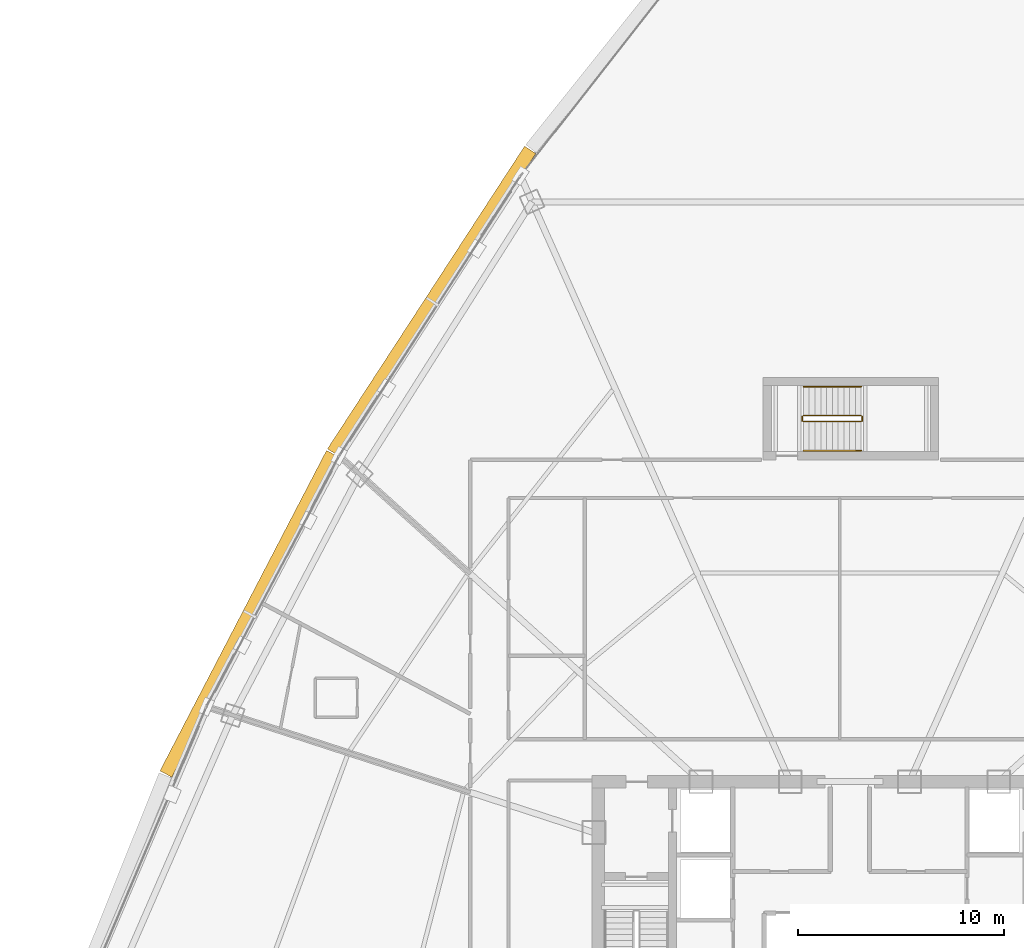
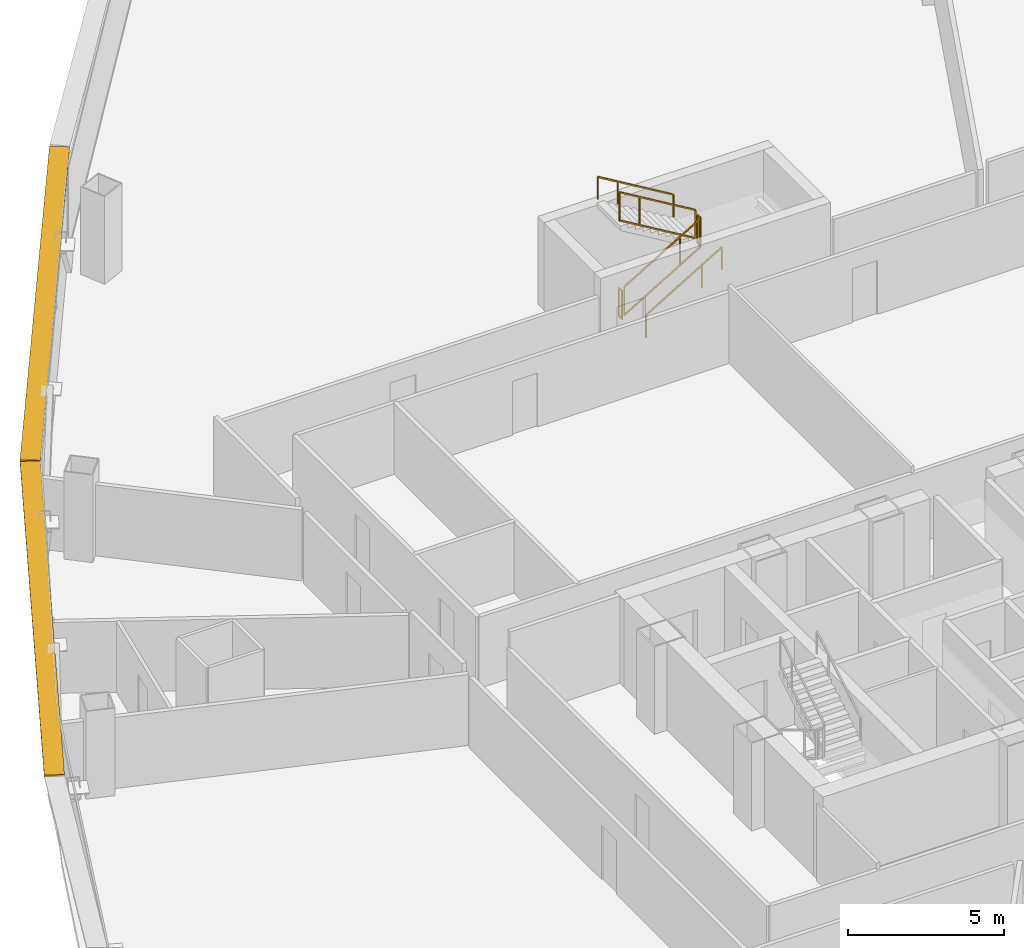
# One storey, part 39 of 40: 6 railings, 2 shading devices.
"""IFC4 building model written with IfcOpenShell, lengths in metres."""

from ifc_helpers import new_model, si_unit, direction, frame, origin, origin_2d, place, context, subcontext, project, spatial, rectangle, extrude, source, transform, mapped, material, layer, layer_set, type_object, element, save


model = new_model("IFC4")

# Units and contexts
model_context = context("Model", 3, precision=1e-05, world=origin(), true_north=direction((0.0, 1.0)))
body_context = subcontext(model_context, "Body", "Model", "MODEL_VIEW")
ifc_project = project(units=[si_unit("LENGTHUNIT", "METRE"), si_unit("AREAUNIT", "SQUARE_METRE"), si_unit("VOLUMEUNIT", "CUBIC_METRE"), si_unit("PLANEANGLEUNIT", "RADIAN"), si_unit("MASSUNIT", "GRAM", prefix="KILO"), si_unit("THERMODYNAMICTEMPERATUREUNIT", "KELVIN"), si_unit("POWERUNIT", "WATT")], contexts=[model_context])

# Site, building, storey
site_placement = place(None, origin())
site = spatial("IfcSite", under=ifc_project, at=site_placement, CompositionType="ELEMENT")
building_placement = place(site_placement, origin())
building = spatial("IfcBuilding", under=site, at=building_placement, Name="Yunzhuo Pagoda Commons", CompositionType="ELEMENT")
storey_placement = place(building_placement, frame((0.0, 0.0, 159.27001953125)))
storey = spatial("IfcBuildingStorey", under=building, at=storey_placement, Name="L40", CompositionType="ELEMENT", Elevation=159.27001953125)

# Railings
ifc_material = material(Name="Anodized aluminium 6063-T6", Category="aluminium")
railing_type_1 = type_object("IfcRailingType", Name="GR-ST3 North Well Guardrail 1155", PredefinedType="GUARDRAIL", material=ifc_material)
railing_1_placement = place(storey_placement, frame((45.75, 57.64990234375, 0.167236328125)))
element("IfcRailing", 1, at=railing_1_placement, inside=storey, type_object=railing_type_1, Name="L40 ST3 stair guard 1", PredefinedType="GUARDRAIL", context=body_context, shape_type="SweptSolid", body=[
    extrude(rectangle(XDim=0.048095703125, YDim=0.048095703125, at=origin_2d()), frame((0.0, 0.0, 1.1259765625), z_axis=(0.858462256164, 0.0, 0.512876744201), x_axis=(0.0, 1.0, 0.0)), (0.0, 0.0, 1.0), 3.26171875),
    extrude(rectangle(XDim=0.048095703125, YDim=0.048095703125, at=origin_2d()), frame((0.0, 0.0, 0.02392578125), z_axis=(0.858462256164, 0.0, 0.512876744201), x_axis=(0.0, 1.0, 0.0)), (0.0, 0.0, 1.0), 3.26171875),
    extrude(rectangle(XDim=0.0419921875, YDim=0.0419921875, at=origin_2d()), origin(), (0.0, 0.0, 1.0), 1.101806640625),
    extrude(rectangle(XDim=0.0419921875, YDim=0.0419921875, at=origin_2d()), frame((2.060302734375, 0.0, 1.23095703125)), (0.0, 0.0, 1.0), 1.101806640625),
    extrude(rectangle(XDim=0.0419921875, YDim=0.0419921875, at=origin_2d()), frame((2.800048828125, 0.0, 1.6728515625)), (0.0, 0.0, 1.0), 1.101806640625),
])
railing_2_placement = place(storey_placement, frame((48.60009765625, 57.699951171875, 1.840087890625)))
element("IfcRailing", 2, at=railing_2_placement, inside=storey, type_object=railing_type_1, Name="L40 ST3 stair guard 2", PredefinedType="GUARDRAIL", context=body_context, shape_type="SweptSolid", body=[
    extrude(rectangle(XDim=0.048095703125, YDim=0.048095703125, at=origin_2d()), frame((0.0, 0.0, 1.1259765625), z_axis=(0.0, 1.0, 0.0), x_axis=(-1.0, 0.0, 0.0)), (0.0, 0.0, 1.0), 0.199951171875),
    extrude(rectangle(XDim=0.048095703125, YDim=0.048095703125, at=origin_2d()), frame((0.0, 0.0, 0.02392578125), z_axis=(0.0, 1.0, 0.0), x_axis=(-1.0, 0.0, 0.0)), (0.0, 0.0, 1.0), 0.199951171875),
    extrude(rectangle(XDim=0.0419921875, YDim=0.0419921875, at=origin_2d()), origin(), (0.0, 0.0, 1.0), 1.101806640625),
    extrude(rectangle(XDim=0.0419921875, YDim=0.0419921875, at=origin_2d()), frame((0.0, 0.199951171875, 0.0)), (0.0, 0.0, 1.0), 1.101806640625),
])
railing_3_placement = place(storey_placement, frame((48.550048828125, 57.949951171875, 2.00732421875)))
element("IfcRailing", 3, at=railing_3_placement, inside=storey, type_object=railing_type_1, Name="L40 ST3 stair guard 3", PredefinedType="GUARDRAIL", context=body_context, shape_type="SweptSolid", body=[
    extrude(rectangle(XDim=0.048095703125, YDim=0.048095703125, at=origin_2d()), frame((0.0, 0.0, 1.1259765625), z_axis=(-0.858495211305, 0.0, 0.512821579271), x_axis=(0.0, -1.0, 0.0)), (0.0, 0.0, 1.0), 3.261474609375),
    extrude(rectangle(XDim=0.048095703125, YDim=0.048095703125, at=origin_2d()), frame((0.0, 0.0, 0.02392578125), z_axis=(-0.858495211305, 0.0, 0.512821579271), x_axis=(0.0, -1.0, 0.0)), (0.0, 0.0, 1.0), 3.261474609375),
    extrude(rectangle(XDim=0.0419921875, YDim=0.0419921875, at=origin_2d()), origin(), (0.0, 0.0, 1.0), 1.101806640625),
    extrude(rectangle(XDim=0.0419921875, YDim=0.0419921875, at=origin_2d()), frame((-2.060302734375, 0.0, 1.230712890625)), (0.0, 0.0, 1.0), 1.101806640625),
    extrude(rectangle(XDim=0.0419921875, YDim=0.0419921875, at=origin_2d()), frame((-2.800048828125, 0.0, 1.672607421875)), (0.0, 0.0, 1.0), 1.101806640625),
])
railing_4_placement = place(storey_placement, frame((45.699951171875, 57.699951171875, 0.0)))
element("IfcRailing", 4, at=railing_4_placement, inside=storey, type_object=railing_type_1, Name="L40 ST3 stair guard 4", PredefinedType="GUARDRAIL", context=body_context, shape_type="SweptSolid", body=[
    extrude(rectangle(XDim=0.048095703125, YDim=0.048095703125, at=origin_2d()), frame((0.0, 0.0, 1.1259765625), z_axis=(0.0, 1.0, 0.0), x_axis=(-1.0, 0.0, 0.0)), (0.0, 0.0, 1.0), 0.199951171875),
    extrude(rectangle(XDim=0.048095703125, YDim=0.048095703125, at=origin_2d()), frame((0.0, 0.0, 0.02392578125), z_axis=(0.0, 1.0, 0.0), x_axis=(-1.0, 0.0, 0.0)), (0.0, 0.0, 1.0), 0.199951171875),
    extrude(rectangle(XDim=0.0419921875, YDim=0.0419921875, at=origin_2d()), origin(), (0.0, 0.0, 1.0), 1.101806640625),
    extrude(rectangle(XDim=0.0419921875, YDim=0.0419921875, at=origin_2d()), frame((0.0, 0.199951171875, 0.0)), (0.0, 0.0, 1.0), 1.101806640625),
])
railing_type_2 = type_object("IfcRailingType", Name="HR-ST3 North Stair Handrail 900", PredefinedType="HANDRAIL", material=ifc_material)
railing_5_placement = place(storey_placement, frame((45.75, 56.25, 0.167236328125)))
element("IfcRailing", 5, at=railing_5_placement, inside=storey, type_object=railing_type_2, Name="L40 ST3 stair handrail 1", PredefinedType="HANDRAIL", context=body_context, shape_type="SweptSolid", body=[
    extrude(rectangle(XDim=0.048095703125, YDim=0.048095703125, at=origin_2d()), frame((0.0, 0.0, 0.8759765625), z_axis=(0.858462256164, 0.0, 0.512876744201), x_axis=(0.0, 1.0, 0.0)), (0.0, 0.0, 1.0), 3.26171875),
    extrude(rectangle(XDim=0.0419921875, YDim=0.0419921875, at=origin_2d()), origin(), (0.0, 0.0, 1.0), 0.851806640625),
    extrude(rectangle(XDim=0.0419921875, YDim=0.0419921875, at=origin_2d()), frame((2.060302734375, 0.0, 1.23095703125)), (0.0, 0.0, 1.0), 0.851806640625),
    extrude(rectangle(XDim=0.0419921875, YDim=0.0419921875, at=origin_2d()), frame((2.800048828125, 0.0, 1.6728515625)), (0.0, 0.0, 1.0), 0.851806640625),
])
railing_6_placement = place(storey_placement, frame((48.550048828125, 59.35009765625, 2.00732421875)))
element("IfcRailing", 6, at=railing_6_placement, inside=storey, type_object=railing_type_2, Name="L40 ST3 stair handrail 2", PredefinedType="HANDRAIL", context=body_context, shape_type="SweptSolid", body=[
    extrude(rectangle(XDim=0.048095703125, YDim=0.048095703125, at=origin_2d()), frame((0.0, 0.0, 0.8759765625), z_axis=(-0.858495211305, 0.0, 0.512821579271), x_axis=(0.0, -1.0, 0.0)), (0.0, 0.0, 1.0), 3.261474609375),
    extrude(rectangle(XDim=0.0419921875, YDim=0.0419921875, at=origin_2d()), origin(), (0.0, 0.0, 1.0), 0.851806640625),
    extrude(rectangle(XDim=0.0419921875, YDim=0.0419921875, at=origin_2d()), frame((-2.060302734375, 0.0, 1.230712890625)), (0.0, 0.0, 1.0), 0.851806640625),
    extrude(rectangle(XDim=0.0419921875, YDim=0.0419921875, at=origin_2d()), frame((-2.800048828125, 0.0, 1.672607421875)), (0.0, 0.0, 1.0), 0.851806640625),
])

# Shading devices
ifc_layer = layer(ifc_material, 0.080078125)
ifc_layer_set = layer_set([ifc_layer], Name="Anodized aluminium 6063-T6")
shading_device_type = type_object("IfcShadingDeviceType", Name="SH-SUN1 Pagoda Horizontal Sunshade Eave 650", PredefinedType="USERDEFINED", material=ifc_layer_set)
shared_shape_1 = source(origin(), body_context, "Body", "SweptSolid", [
    extrude(rectangle(XDim=17.50537109375, YDim=0.64990234375, at=origin_2d()), origin(), (0.0, 0.0, 1.0), 0.080078125),
])
shading_device_1_placement = place(storey_placement, frame((18.880859375, 48.334716796875, 3.33984375), z_axis=(0.0, 0.0, 1.0), x_axis=(-0.461206683033, -0.88729273384, 0.0)))
element("IfcShadingDevice", 7, at=shading_device_1_placement, inside=storey, type_object=shading_device_type, Name="L40 horizontal pagoda sunshade eave F3.3", ObjectType="SUNSHADE", PredefinedType="USERDEFINED", context=body_context, shape_type="MappedRepresentation", body=[
    mapped(shared_shape_1, transform((0.0, 0.0, 0.0), scale=1.0)),
])
shared_shape_2 = source(origin(), body_context, "Body", "SweptSolid", [
    extrude(rectangle(XDim=17.505615234375, YDim=0.64990234375, at=origin_2d()), origin(), (0.0, 0.0, 1.0), 0.080078125),
])
shading_device_2_placement = place(storey_placement, frame((27.727294921875, 63.489501953125, 3.33984375), z_axis=(0.0, 0.0, 1.0), x_axis=(-0.545838756973, -0.837890238269, 0.0)))
element("IfcShadingDevice", 8, at=shading_device_2_placement, inside=storey, type_object=shading_device_type, Name="L40 horizontal pagoda sunshade eave F3.2", ObjectType="SUNSHADE", PredefinedType="USERDEFINED", context=body_context, shape_type="MappedRepresentation", body=[
    mapped(shared_shape_2, transform((0.0, 0.0, 0.0), scale=1.0)),
])

save(model, "model.ifc")
